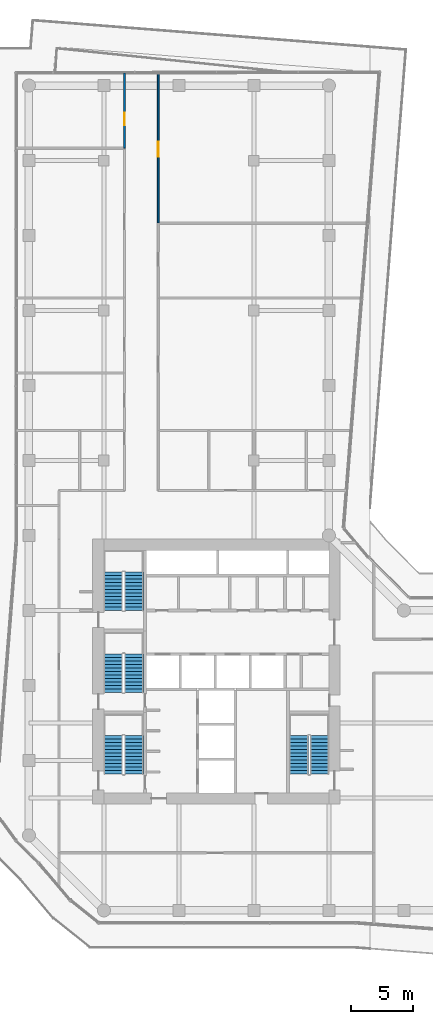
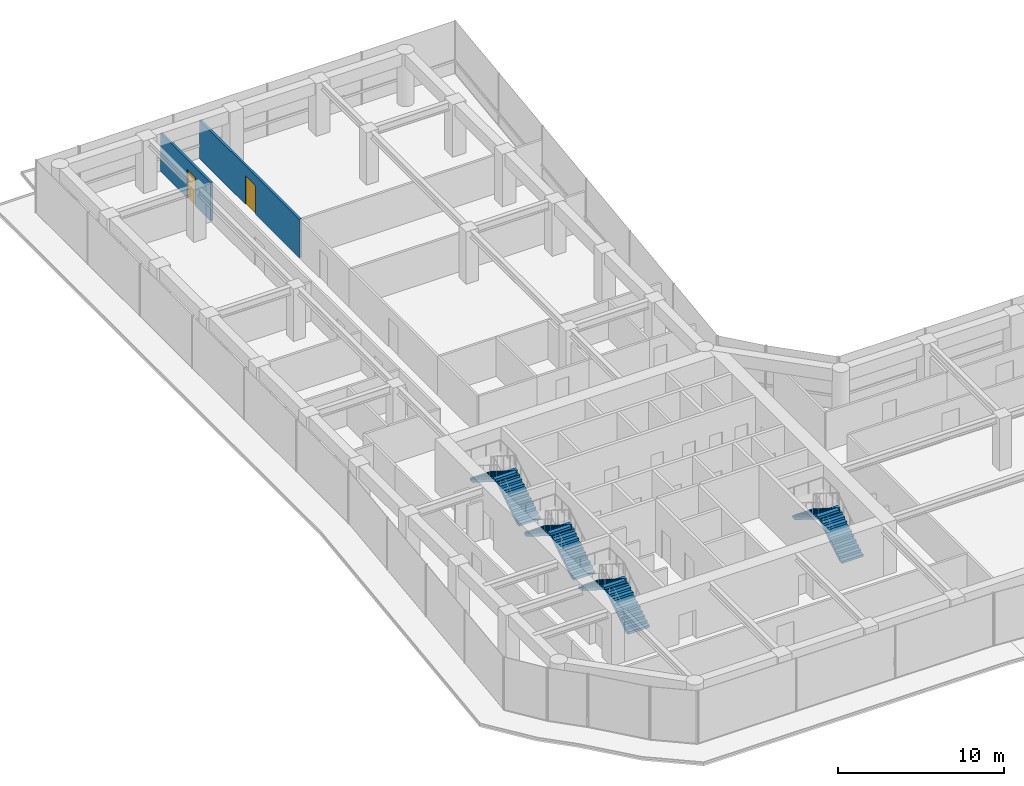
# One storey, part 27 of 29: 8 stair flights, 2 doors, 2 walls, 2 openings, 4 elements without a shape of their own.
"""IFC4 building model written with IfcOpenShell, lengths in metres."""

from ifc_helpers import new_model, si_unit, direction, frame, frame_2d, origin, place, context, subcontext, project, spatial, polyline, rectangle, outline, extrude, material, layer, layer_set, type_object, element, fill, aggregate, save


model = new_model("IFC4")

# Units and contexts
model_context = context("Model", 3, precision=1e-05, world=origin(), true_north=direction((0.0, 1.0)))
body_context = subcontext(model_context, "Body", "Model", "MODEL_VIEW")
ifc_project = project(units=[si_unit("LENGTHUNIT", "METRE"), si_unit("AREAUNIT", "SQUARE_METRE"), si_unit("VOLUMEUNIT", "CUBIC_METRE"), si_unit("PLANEANGLEUNIT", "RADIAN"), si_unit("MASSUNIT", "GRAM", prefix="KILO")], contexts=[model_context])

# Site, building, storey
site_placement = place(None, origin())
site = spatial("IfcSite", under=ifc_project, at=site_placement, CompositionType="ELEMENT")
building_placement = place(site_placement, origin())
building = spatial("IfcBuilding", under=site, at=building_placement, Name="Welwitschia Terrace Campus", CompositionType="ELEMENT")
storey_placement = place(building_placement, frame((0.0, 0.0, 33.199951171875)))
storey = spatial("IfcBuildingStorey", under=building, at=storey_placement, Name="L07", CompositionType="ELEMENT", Elevation=33.199951171875)

# Wall, opening, door
ifc_material_1 = material(Name="Gypsum board on steel studs", Category="steel")
ifc_layer = layer(ifc_material_1, 0.14990234375)
ifc_layer_set = layer_set([ifc_layer], Name="Gypsum board on steel studs")
wall_type = type_object("IfcWallType", Name="Corridor partition 150 EI 30", PredefinedType="PARTITIONING", material=ifc_layer_set)
wall_1_placement = place(storey_placement, frame((7.64990234375, 57.0, 0.0), z_axis=(0.0, 0.0, 1.0), x_axis=(0.0, 1.0, 0.0)))
wall_1 = element("IfcWall", 1, at=wall_1_placement, inside=storey, type_object=wall_type, Name="Partition", PredefinedType="PARTITIONING", context=body_context, shape_type="SweptSolid", body=[
    extrude(rectangle(XDim=6.02001953125, YDim=0.14990234375, at=frame_2d((3.010009765625, 0.0))), origin(), (0.0, 0.0, 1.0), 2.830078125),
])
opening_1_placement = place(wall_1_placement, frame((1.820068359375, 0.0, 0.0)))
opening_1 = element("IfcOpeningElement", 2, at=opening_1_placement, cuts=wall_1, Name="Opening DI10", PredefinedType="OPENING", context=body_context, shape_type="SweptSolid", body=[
    extrude(rectangle(XDim=1.0, YDim=2.10009765625, at=frame_2d((0.5, 1.050048828125))), frame((0.0, 0.0849609375, 0.0), z_axis=(0.0, -1.0, 0.0), x_axis=(1.0, 0.0, 0.0)), (0.0, 0.0, 1.0), 0.169921875),
])
ifc_material_2 = material(Name="Timber veneered door", Category="wood")
door_type_1 = type_object("IfcDoorType", Name="Interior door DI10", OperationType="NOTDEFINED", PredefinedType="DOOR", material=ifc_material_2)
door_1_placement = place(opening_1_placement, origin())
door_1 = element("IfcDoor", 3, at=door_1_placement, inside=storey, type_object=door_type_1, Name="Door L07 173", OperationType="SINGLE_SWING_RIGHT", OverallHeight=2.10009765625, OverallWidth=1.0, PredefinedType="DOOR", context=body_context, shape_type="SweptSolid", body=[
    extrude(rectangle(XDim=1.0, YDim=2.10009765625, at=frame_2d((0.5, 1.050048828125))), frame((0.0, 0.02490234375, 0.0), z_axis=(0.0, -1.0, 0.0), x_axis=(1.0, 0.0, 0.0)), (0.0, 0.0, 1.0), 0.050048828125),
])
fill(opening_1, door_1)

wall_2_placement = place(storey_placement, frame((10.35009765625, 63.030029296875, 0.0), z_axis=(0.0, 0.0, 1.0), x_axis=(0.0, -1.0, 0.0)))
wall_2 = element("IfcWall", 4, at=wall_2_placement, inside=storey, type_object=wall_type, Name="Partition", PredefinedType="PARTITIONING", context=body_context, shape_type="SweptSolid", body=[
    extrude(rectangle(XDim=12.030029296875, YDim=0.14990234375, at=frame_2d((6.01513671875, 0.0))), origin(), (0.0, 0.0, 1.0), 2.830078125),
])
opening_2_placement = place(wall_2_placement, frame((5.530029296875, 0.0, 0.0)))
opening_2 = element("IfcOpeningElement", 5, at=opening_2_placement, cuts=wall_2, Name="Opening DI12", PredefinedType="OPENING", context=body_context, shape_type="SweptSolid", body=[
    extrude(rectangle(XDim=1.199951171875, YDim=2.10009765625, at=frame_2d((0.60009765625, 1.050048828125))), frame((0.0, 0.0849609375, 0.0), z_axis=(0.0, -1.0, 0.0), x_axis=(1.0, 0.0, 0.0)), (0.0, 0.0, 1.0), 0.169921875),
])
ifc_material_3 = material(Name="Timber veneered door", Category="wood")
door_type_2 = type_object("IfcDoorType", Name="Interior door DI12", OperationType="NOTDEFINED", PredefinedType="DOOR", material=ifc_material_3)
door_2_placement = place(opening_2_placement, origin())
door_2 = element("IfcDoor", 6, at=door_2_placement, inside=storey, type_object=door_type_2, Name="Door L07 176", OperationType="SINGLE_SWING_LEFT", OverallHeight=2.10009765625, OverallWidth=1.199951171875, PredefinedType="DOOR", context=body_context, shape_type="SweptSolid", body=[
    extrude(rectangle(XDim=1.199951171875, YDim=2.10009765625, at=frame_2d((0.60009765625, 1.050048828125))), frame((0.0, 0.02490234375, 0.0), z_axis=(0.0, -1.0, 0.0), x_axis=(1.0, 0.0, 0.0)), (0.0, 0.0, 1.0), 0.050048828125),
])
fill(opening_2, door_2)

# Stair, stair flights
ifc_material_4 = material(Name="Concrete C40/50", Category="concrete")
stair_type = type_object("IfcStairType", Name="Stair 24R 175 W1500", PredefinedType="HALF_TURN_STAIR", material=ifc_material_4)
stair_1_placement = place(storey_placement, origin())
stair_1 = element("IfcStair", 7, at=stair_1_placement, inside=storey, type_object=stair_type, Name="L07 Exit stair S1", PredefinedType="HALF_TURN_STAIR")
ifc_material_5 = material(Name="Concrete C40/50", Category="concrete")
stair_flight_type = type_object("IfcStairFlightType", Name="Stair flight 24R 175 W1500", PredefinedType="STRAIGHT", material=ifc_material_5)
stair_flight_1_placement = place(storey_placement, frame((8.39990234375, 6.89990234375, 0.0), z_axis=(0.0, 0.0, 1.0), x_axis=(0.0, 1.0, 0.0)))
stair_flight_1 = element("IfcStairFlight", 8, at=stair_flight_1_placement, type_object=stair_flight_type, Name="S1 flight 1", NumberOfRisers=12, NumberOfTreads=11, PredefinedType="STRAIGHT", RiserHeight=0.175, TreadLength=0.28, context=body_context, shape_type="SweptSolid", body=[
    extrude(outline(polyline([(0.0, 0.0), (0.0, 0.175048828125), (0.280029296875, 0.175048828125), (0.280029296875, 0.35009765625), (0.56005859375, 0.35009765625), (0.56005859375, 0.52490234375), (0.840087890625, 0.52490234375), (0.840087890625, 0.699951171875), (1.1201171875, 0.699951171875), (1.1201171875, 0.875), (1.39990234375, 0.875), (1.39990234375, 1.050048828125), (1.679931640625, 1.050048828125), (1.679931640625, 1.22509765625), (1.9599609375, 1.22509765625), (1.9599609375, 1.39990234375), (2.239990234375, 1.39990234375), (2.239990234375, 1.574951171875), (2.52001953125, 1.574951171875), (2.52001953125, 1.75), (2.800048828125, 1.75), (2.800048828125, 1.925048828125), (3.080078125, 1.925048828125), (3.080078125, 2.10009765625), (3.080078125, 1.748291015625), (0.28271484375, 0.0), (0.0, 0.0)])), frame((0.0, 0.75, 0.0), z_axis=(0.0, -1.0, 0.0), x_axis=(1.0, 0.0, 0.0)), (0.0, 0.0, 1.0), 1.5),
])
stair_flight_2_placement = place(storey_placement, frame((6.75, 9.97998046875, 2.10009765625), z_axis=(0.0, 0.0, 1.0), x_axis=(0.0, -1.0, 0.0)))
stair_flight_2 = element("IfcStairFlight", 9, at=stair_flight_2_placement, type_object=stair_flight_type, Name="S1 flight 2", NumberOfRisers=12, NumberOfTreads=11, PredefinedType="STRAIGHT", RiserHeight=0.175, TreadLength=0.28, context=body_context, shape_type="SweptSolid", body=[
    extrude(outline(polyline([(0.0, 0.0), (0.0, 0.175048828125), (0.280029296875, 0.175048828125), (0.280029296875, 0.35009765625), (0.56005859375, 0.35009765625), (0.56005859375, 0.52490234375), (0.840087890625, 0.52490234375), (0.840087890625, 0.699951171875), (1.1201171875, 0.699951171875), (1.1201171875, 0.875), (1.39990234375, 0.875), (1.39990234375, 1.050048828125), (1.679931640625, 1.050048828125), (1.679931640625, 1.22509765625), (1.9599609375, 1.22509765625), (1.9599609375, 1.39990234375), (2.239990234375, 1.39990234375), (2.239990234375, 1.574951171875), (2.52001953125, 1.574951171875), (2.52001953125, 1.75), (2.800048828125, 1.75), (2.800048828125, 1.925048828125), (3.080078125, 1.925048828125), (3.080078125, 2.10009765625), (3.080078125, 1.748291015625), (0.28271484375, 0.0), (0.0, 0.0)])), frame((0.0, 0.75, 0.0), z_axis=(0.0, -1.0, 0.0), x_axis=(1.0, 0.0, 0.0)), (0.0, 0.0, 1.0), 1.5),
])
aggregate(stair_1, [stair_flight_1, stair_flight_2])

stair_2_placement = place(storey_placement, origin())
stair_2 = element("IfcStair", 10, at=stair_2_placement, inside=storey, type_object=stair_type, Name="L07 Exit stair S3", PredefinedType="HALF_TURN_STAIR")
stair_flight_3_placement = place(storey_placement, frame((8.39990234375, 13.449951171875, 0.0), z_axis=(0.0, 0.0, 1.0), x_axis=(0.0, 1.0, 0.0)))
stair_flight_3 = element("IfcStairFlight", 11, at=stair_flight_3_placement, type_object=stair_flight_type, Name="S3 flight 1", NumberOfRisers=12, NumberOfTreads=11, PredefinedType="STRAIGHT", RiserHeight=0.175, TreadLength=0.28, context=body_context, shape_type="SweptSolid", body=[
    extrude(outline(polyline([(0.0, 0.0), (0.0, 0.175048828125), (0.280029296875, 0.175048828125), (0.280029296875, 0.35009765625), (0.56005859375, 0.35009765625), (0.56005859375, 0.52490234375), (0.840087890625, 0.52490234375), (0.840087890625, 0.699951171875), (1.1201171875, 0.699951171875), (1.1201171875, 0.875), (1.39990234375, 0.875), (1.39990234375, 1.050048828125), (1.679931640625, 1.050048828125), (1.679931640625, 1.22509765625), (1.9599609375, 1.22509765625), (1.9599609375, 1.39990234375), (2.239990234375, 1.39990234375), (2.239990234375, 1.574951171875), (2.52001953125, 1.574951171875), (2.52001953125, 1.75), (2.800048828125, 1.75), (2.800048828125, 1.925048828125), (3.080078125, 1.925048828125), (3.080078125, 2.10009765625), (3.080078125, 1.748291015625), (0.28271484375, 0.0), (0.0, 0.0)])), frame((0.0, 0.75, 0.0), z_axis=(0.0, -1.0, 0.0), x_axis=(1.0, 0.0, 0.0)), (0.0, 0.0, 1.0), 1.5),
])
stair_flight_4_placement = place(storey_placement, frame((6.75, 16.530029296875, 2.10009765625), z_axis=(0.0, 0.0, 1.0), x_axis=(0.0, -1.0, 0.0)))
stair_flight_4 = element("IfcStairFlight", 12, at=stair_flight_4_placement, type_object=stair_flight_type, Name="S3 flight 2", NumberOfRisers=12, NumberOfTreads=11, PredefinedType="STRAIGHT", RiserHeight=0.175, TreadLength=0.28, context=body_context, shape_type="SweptSolid", body=[
    extrude(outline(polyline([(0.0, 0.0), (0.0, 0.175048828125), (0.280029296875, 0.175048828125), (0.280029296875, 0.35009765625), (0.56005859375, 0.35009765625), (0.56005859375, 0.52490234375), (0.840087890625, 0.52490234375), (0.840087890625, 0.699951171875), (1.1201171875, 0.699951171875), (1.1201171875, 0.875), (1.39990234375, 0.875), (1.39990234375, 1.050048828125), (1.679931640625, 1.050048828125), (1.679931640625, 1.22509765625), (1.9599609375, 1.22509765625), (1.9599609375, 1.39990234375), (2.239990234375, 1.39990234375), (2.239990234375, 1.574951171875), (2.52001953125, 1.574951171875), (2.52001953125, 1.75), (2.800048828125, 1.75), (2.800048828125, 1.925048828125), (3.080078125, 1.925048828125), (3.080078125, 2.10009765625), (3.080078125, 1.748291015625), (0.28271484375, 0.0), (0.0, 0.0)])), frame((0.0, 0.75, 0.0), z_axis=(0.0, -1.0, 0.0), x_axis=(1.0, 0.0, 0.0)), (0.0, 0.0, 1.0), 1.5),
])
aggregate(stair_2, [stair_flight_3, stair_flight_4])

stair_3_placement = place(storey_placement, origin())
stair_3 = element("IfcStair", 13, at=stair_3_placement, inside=storey, type_object=stair_type, Name="L07 Exit stair S4", PredefinedType="HALF_TURN_STAIR")
stair_flight_5_placement = place(storey_placement, frame((8.39990234375, 20.0, 0.0), z_axis=(0.0, 0.0, 1.0), x_axis=(0.0, 1.0, 0.0)))
stair_flight_5 = element("IfcStairFlight", 14, at=stair_flight_5_placement, type_object=stair_flight_type, Name="S4 flight 1", NumberOfRisers=12, NumberOfTreads=11, PredefinedType="STRAIGHT", RiserHeight=0.175, TreadLength=0.28, context=body_context, shape_type="SweptSolid", body=[
    extrude(outline(polyline([(0.0, 0.0), (0.0, 0.175048828125), (0.280029296875, 0.175048828125), (0.280029296875, 0.35009765625), (0.56005859375, 0.35009765625), (0.56005859375, 0.52490234375), (0.840087890625, 0.52490234375), (0.840087890625, 0.699951171875), (1.1201171875, 0.699951171875), (1.1201171875, 0.875), (1.39990234375, 0.875), (1.39990234375, 1.050048828125), (1.679931640625, 1.050048828125), (1.679931640625, 1.22509765625), (1.9599609375, 1.22509765625), (1.9599609375, 1.39990234375), (2.239990234375, 1.39990234375), (2.239990234375, 1.574951171875), (2.52001953125, 1.574951171875), (2.52001953125, 1.75), (2.800048828125, 1.75), (2.800048828125, 1.925048828125), (3.080078125, 1.925048828125), (3.080078125, 2.10009765625), (3.080078125, 1.748291015625), (0.28271484375, 0.0), (0.0, 0.0)])), frame((0.0, 0.75, 0.0), z_axis=(0.0, -1.0, 0.0), x_axis=(1.0, 0.0, 0.0)), (0.0, 0.0, 1.0), 1.5),
])
stair_flight_6_placement = place(storey_placement, frame((6.75, 23.080078125, 2.10009765625), z_axis=(0.0, 0.0, 1.0), x_axis=(0.0, -1.0, 0.0)))
stair_flight_6 = element("IfcStairFlight", 15, at=stair_flight_6_placement, type_object=stair_flight_type, Name="S4 flight 2", NumberOfRisers=12, NumberOfTreads=11, PredefinedType="STRAIGHT", RiserHeight=0.175, TreadLength=0.28, context=body_context, shape_type="SweptSolid", body=[
    extrude(outline(polyline([(0.0, 0.0), (0.0, 0.175048828125), (0.280029296875, 0.175048828125), (0.280029296875, 0.35009765625), (0.56005859375, 0.35009765625), (0.56005859375, 0.52490234375), (0.840087890625, 0.52490234375), (0.840087890625, 0.699951171875), (1.1201171875, 0.699951171875), (1.1201171875, 0.875), (1.39990234375, 0.875), (1.39990234375, 1.050048828125), (1.679931640625, 1.050048828125), (1.679931640625, 1.22509765625), (1.9599609375, 1.22509765625), (1.9599609375, 1.39990234375), (2.239990234375, 1.39990234375), (2.239990234375, 1.574951171875), (2.52001953125, 1.574951171875), (2.52001953125, 1.75), (2.800048828125, 1.75), (2.800048828125, 1.925048828125), (3.080078125, 1.925048828125), (3.080078125, 2.10009765625), (3.080078125, 1.748291015625), (0.28271484375, 0.0), (0.0, 0.0)])), frame((0.0, 0.75, 0.0), z_axis=(0.0, -1.0, 0.0), x_axis=(1.0, 0.0, 0.0)), (0.0, 0.0, 1.0), 1.5),
])
aggregate(stair_3, [stair_flight_5, stair_flight_6])

stair_4_placement = place(storey_placement, origin())
stair_4 = element("IfcStair", 16, at=stair_4_placement, inside=storey, type_object=stair_type, Name="L07 Exit stair S2", PredefinedType="HALF_TURN_STAIR")
stair_flight_7_placement = place(storey_placement, frame((23.25, 6.89990234375, 0.0), z_axis=(0.0, 0.0, 1.0), x_axis=(0.0, 1.0, 0.0)))
stair_flight_7 = element("IfcStairFlight", 17, at=stair_flight_7_placement, type_object=stair_flight_type, Name="S2 flight 1", NumberOfRisers=12, NumberOfTreads=11, PredefinedType="STRAIGHT", RiserHeight=0.175, TreadLength=0.28, context=body_context, shape_type="SweptSolid", body=[
    extrude(outline(polyline([(0.0, 0.0), (0.0, 0.175048828125), (0.280029296875, 0.175048828125), (0.280029296875, 0.35009765625), (0.56005859375, 0.35009765625), (0.56005859375, 0.52490234375), (0.840087890625, 0.52490234375), (0.840087890625, 0.699951171875), (1.1201171875, 0.699951171875), (1.1201171875, 0.875), (1.39990234375, 0.875), (1.39990234375, 1.050048828125), (1.679931640625, 1.050048828125), (1.679931640625, 1.22509765625), (1.9599609375, 1.22509765625), (1.9599609375, 1.39990234375), (2.239990234375, 1.39990234375), (2.239990234375, 1.574951171875), (2.52001953125, 1.574951171875), (2.52001953125, 1.75), (2.800048828125, 1.75), (2.800048828125, 1.925048828125), (3.080078125, 1.925048828125), (3.080078125, 2.10009765625), (3.080078125, 1.748291015625), (0.28271484375, 0.0), (0.0, 0.0)])), frame((0.0, 0.75, 0.0), z_axis=(0.0, -1.0, 0.0), x_axis=(1.0, 0.0, 0.0)), (0.0, 0.0, 1.0), 1.5),
])
stair_flight_8_placement = place(storey_placement, frame((21.60009765625, 9.97998046875, 2.10009765625), z_axis=(0.0, 0.0, 1.0), x_axis=(0.0, -1.0, 0.0)))
stair_flight_8 = element("IfcStairFlight", 18, at=stair_flight_8_placement, type_object=stair_flight_type, Name="S2 flight 2", NumberOfRisers=12, NumberOfTreads=11, PredefinedType="STRAIGHT", RiserHeight=0.175, TreadLength=0.28, context=body_context, shape_type="SweptSolid", body=[
    extrude(outline(polyline([(0.0, 0.0), (0.0, 0.175048828125), (0.280029296875, 0.175048828125), (0.280029296875, 0.35009765625), (0.56005859375, 0.35009765625), (0.56005859375, 0.52490234375), (0.840087890625, 0.52490234375), (0.840087890625, 0.699951171875), (1.1201171875, 0.699951171875), (1.1201171875, 0.875), (1.39990234375, 0.875), (1.39990234375, 1.050048828125), (1.679931640625, 1.050048828125), (1.679931640625, 1.22509765625), (1.9599609375, 1.22509765625), (1.9599609375, 1.39990234375), (2.239990234375, 1.39990234375), (2.239990234375, 1.574951171875), (2.52001953125, 1.574951171875), (2.52001953125, 1.75), (2.800048828125, 1.75), (2.800048828125, 1.925048828125), (3.080078125, 1.925048828125), (3.080078125, 2.10009765625), (3.080078125, 1.748291015625), (0.28271484375, 0.0), (0.0, 0.0)])), frame((0.0, 0.75, 0.0), z_axis=(0.0, -1.0, 0.0), x_axis=(1.0, 0.0, 0.0)), (0.0, 0.0, 1.0), 1.5),
])
aggregate(stair_4, [stair_flight_7, stair_flight_8])

save(model, "model.ifc")
